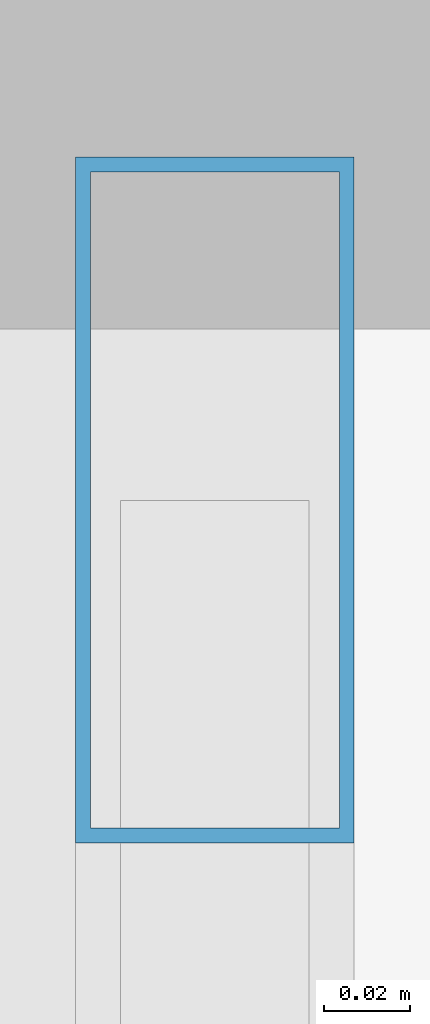
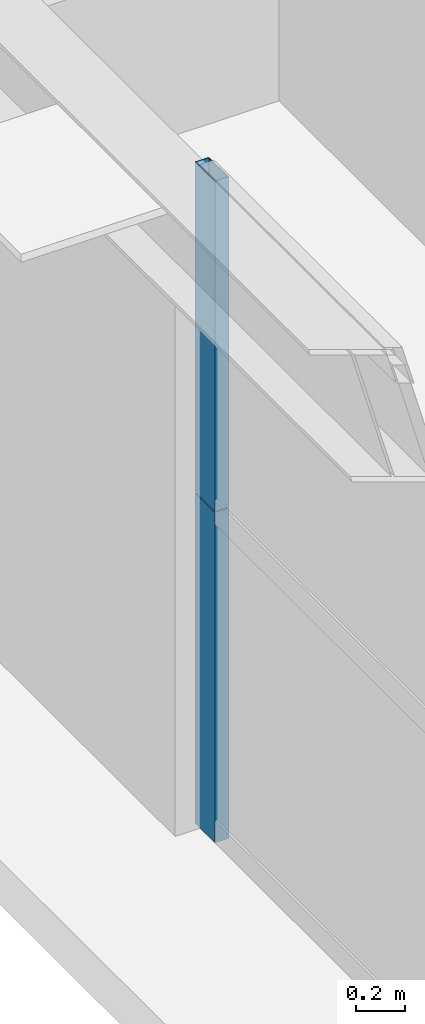
# One storey, part 23 of 38: 2 members, 1 element without a shape of its own.
"""IFC4 building model written with IfcOpenShell, lengths in metres."""

from ifc_helpers import new_model, si_unit, direction, frame, origin, origin_2d, place, context, subcontext, project, spatial, hollow_rectangle, extrude, source, transform, mapped, material, layer, layer_set, material_profile, profile_set, type_object, element, aggregate, save


model = new_model("IFC4")

# Units and contexts
model_context = context("Model", 3, precision=1e-05, world=origin(), true_north=direction((0.0, 1.0)))
body_context = subcontext(model_context, "Body", "Model", "MODEL_VIEW")
ifc_project = project(units=[si_unit("LENGTHUNIT", "METRE"), si_unit("AREAUNIT", "SQUARE_METRE"), si_unit("VOLUMEUNIT", "CUBIC_METRE"), si_unit("PLANEANGLEUNIT", "RADIAN"), si_unit("MASSUNIT", "GRAM", prefix="KILO"), si_unit("THERMODYNAMICTEMPERATUREUNIT", "KELVIN"), si_unit("POWERUNIT", "WATT")], contexts=[model_context])

# Site, building, storey
site_placement = place(None, origin())
site = spatial("IfcSite", under=ifc_project, at=site_placement, CompositionType="ELEMENT")
building_placement = place(site_placement, origin())
building = spatial("IfcBuilding", under=site, at=building_placement, Name="Yuzanri Waterfront Tower", CompositionType="ELEMENT")
storey_placement = place(building_placement, frame((0.0, 0.0, 181.0)))
storey = spatial("IfcBuildingStorey", under=building, at=storey_placement, Name="L47", CompositionType="ELEMENT", Elevation=181.0)

# Curtain wall, members
ifc_material_1 = material(Name="Anodized Architectural Bronze", Category="metal")
ifc_layer = layer(ifc_material_1, 0.159912109375)
ifc_layer_set = layer_set([ifc_layer], Name="Anodized Architectural Bronze")
curtain_wall_type = type_object("IfcCurtainWallType", Name="Anodized Bronze Mid-Rise Residential Acoustic Unitized Curtain Wall 7200", PredefinedType="NOTDEFINED", material=ifc_layer_set)
curtain_wall_placement = place(storey_placement, origin())
curtain_wall = element("IfcCurtainWall", 1, at=curtain_wall_placement, inside=storey, type_object=curtain_wall_type, Name="L47 Curtain Wall CW-L47-WR", PredefinedType="NOTDEFINED")
ifc_material_2 = material(Name="Anodized Architectural Bronze", Category="metal")
ifc_material_profile = material_profile(ifc_material_2, hollow_rectangle(XDim=0.06494140625, YDim=0.159912109375, WallThickness=0.00341796875, at=origin_2d()), Name="CWM 65x160")
ifc_profile_set = profile_set([ifc_material_profile], Name="Anodized Architectural Bronze")
member_type = type_object("IfcMemberType", Name="Anodized Bronze Upper-Zone Curtain-Wall Mullion 65x160", PredefinedType="MULLION", material=ifc_profile_set)
shared_shape = source(origin(), body_context, "Body", "SweptSolid", [
    extrude(hollow_rectangle(XDim=0.06494140625, YDim=0.159912109375, WallThickness=0.00341796875, at=origin_2d()), origin(), (0.0, 0.0, 1.0), 1.637939453125),
])
member_1_placement = place(storey_placement, frame((15.050048828125, 40.510009765625, 0.0), z_axis=(0.0, 0.0, 1.0), x_axis=(1.0, 0.0, 0.0)))
member_1 = element("IfcMember", 2, at=member_1_placement, type_object=member_type, Name="CW-L47-WR Lower Mullion 02", PredefinedType="MULLION", context=body_context, shape_type="MappedRepresentation", body=[
    mapped(shared_shape, transform((0.0, 0.0, 0.0), scale=1.0)),
])
member_2_placement = place(storey_placement, frame((15.050048828125, 40.510009765625, 1.64208984375), z_axis=(0.0, 0.0, 1.0), x_axis=(1.0, 0.0, 0.0)))
member_2 = element("IfcMember", 3, at=member_2_placement, type_object=member_type, Name="CW-L47-WR Upper Mullion 02", PredefinedType="MULLION", context=body_context, shape_type="MappedRepresentation", body=[
    mapped(shared_shape, transform((0.0, 0.0, 0.0), scale=1.0)),
])
aggregate(curtain_wall, [member_1, member_2])

save(model, "model.ifc")
